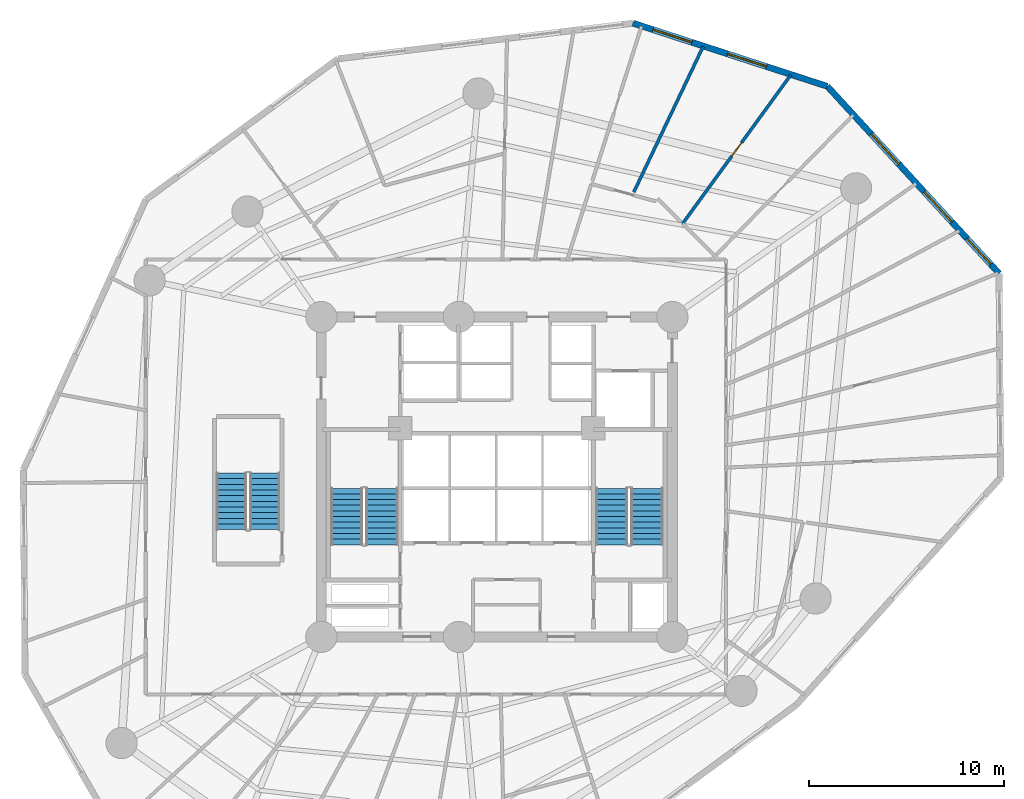
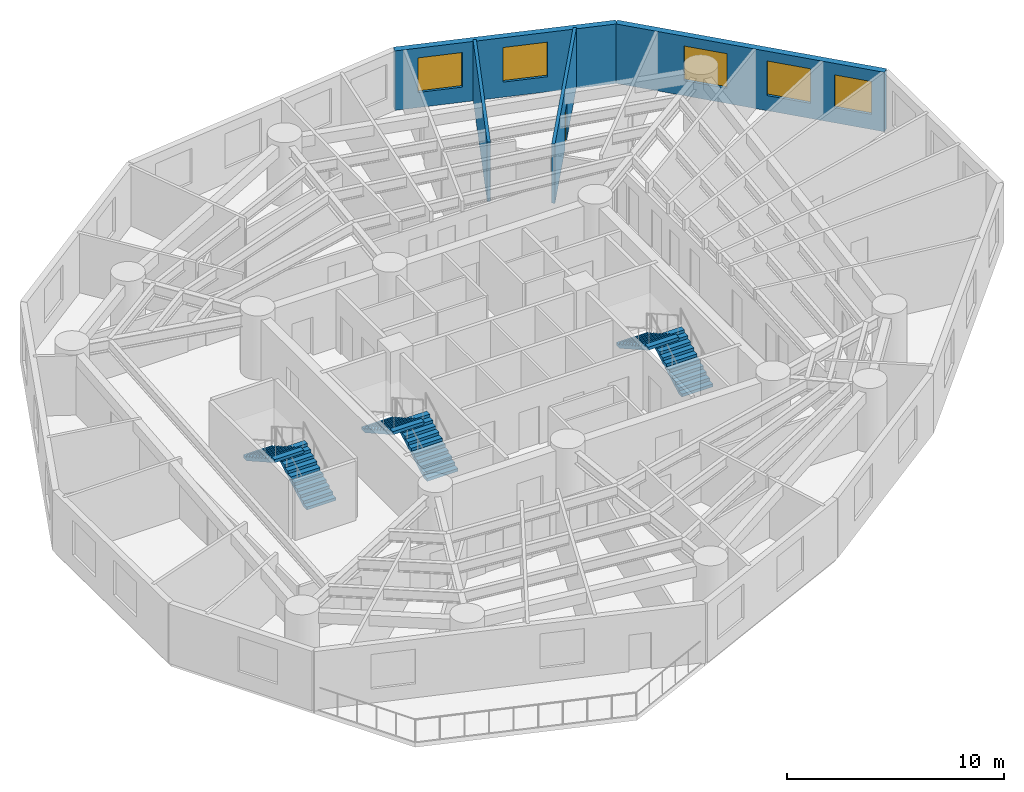
# One storey, part 7 of 9: 6 stair flights, 5 windows, 4 walls, 1 door, 6 openings, 3 elements without a shape of their own.
"""IFC4 building model written with IfcOpenShell, lengths in metres."""

from ifc_helpers import new_model, si_unit, direction, frame, frame_2d, origin, origin_with_axes, place, context, subcontext, project, spatial, polyline, rectangle, outline, extrude, source, transform, mapped, material, layer, layer_set, type_object, element, fill, aggregate, save


model = new_model("IFC4")

# Units and contexts
model_context = context("Model", 3, precision=1e-05, world=origin(), true_north=direction((0.0, 1.0)))
body_context = subcontext(model_context, "Body", "Model", "MODEL_VIEW")
ifc_project = project(units=[si_unit("LENGTHUNIT", "METRE"), si_unit("AREAUNIT", "SQUARE_METRE"), si_unit("VOLUMEUNIT", "CUBIC_METRE"), si_unit("PLANEANGLEUNIT", "RADIAN"), si_unit("MASSUNIT", "GRAM", prefix="KILO")], contexts=[model_context])

# Site, building, storey
site_placement = place(None, origin())
site = spatial("IfcSite", under=ifc_project, at=site_placement, CompositionType="ELEMENT")
building_placement = place(site_placement, origin())
building = spatial("IfcBuilding", under=site, at=building_placement, Name="Karkom Vertical University and Central Library", CompositionType="ELEMENT")
storey_placement = place(building_placement, frame((0.0, 0.0, 48.10009765625)))
storey = spatial("IfcBuildingStorey", under=building, at=storey_placement, Name="L12", CompositionType="ELEMENT", Elevation=48.10009765625)

# Wall, openings, windows
ifc_material_1 = material(Name="Brick-faced precast concrete C45/55", Category="masonry")
ifc_layer_1 = layer(ifc_material_1, 0.320068359375)
ifc_layer_set_1 = layer_set([ifc_layer_1], Name="Brick-faced precast concrete C45/55")
wall_type_1 = type_object("IfcWallType", Name="ENV-WL-BRK-320", PredefinedType="SOLIDWALL", material=ifc_layer_set_1)
wall_1_placement = place(storey_placement, frame((54.251953125, 36.932373046875, 0.0), z_axis=(0.0, 0.0, 1.0), x_axis=(-0.676154884731, 0.736759507474, 0.0)))
wall_1 = element("IfcWall", 1, at=wall_1_placement, inside=storey, type_object=wall_type_1, Name="Level 12 Brick-Faced Precast Facade Wall 09", PredefinedType="SOLIDWALL", context=body_context, shape_type="SweptSolid", body=[
    extrude(rectangle(XDim=13.02392578125, YDim=0.320068359375, at=frame_2d((6.511962890625, 0.0))), origin(), (0.0, 0.0, 1.0), 3.349853515625),
])
opening_1_placement = place(wall_1_placement, frame((0.633056640625, 0.0, 0.85009765625)))
opening_1 = element("IfcOpeningElement", 2, at=opening_1_placement, cuts=wall_1, Name="Opening WN-04", PredefinedType="OPENING", context=body_context, shape_type="SweptSolid", body=[
    extrude(rectangle(XDim=1.800048828125, YDim=1.85009765625, at=frame_2d((0.89990234375, 0.925048828125))), frame((0.0, 0.169921875, 0.0), z_axis=(0.0, -1.0, 0.0), x_axis=(1.0, 0.0, 0.0)), (0.0, 0.0, 1.0), 0.340087890625),
])
opening_2_placement = place(wall_1_placement, frame((3.591552734375, 0.0, 0.85009765625)))
opening_2 = element("IfcOpeningElement", 3, at=opening_2_placement, cuts=wall_1, Name="Opening WN-03", PredefinedType="OPENING", context=body_context, shape_type="SweptSolid", body=[
    extrude(rectangle(XDim=2.10009765625, YDim=1.949951171875, at=frame_2d((1.050048828125, 0.97509765625))), frame((0.0, 0.169921875, 0.0), z_axis=(0.0, -1.0, 0.0), x_axis=(1.0, 0.0, 0.0)), (0.0, 0.0, 1.0), 0.340087890625),
])
opening_3_placement = place(wall_1_placement, frame((7.610595703125, 0.0, 0.85009765625)))
opening_3 = element("IfcOpeningElement", 4, at=opening_3_placement, cuts=wall_1, Name="Opening WN-03", PredefinedType="OPENING", context=body_context, shape_type="SweptSolid", body=[
    extrude(rectangle(XDim=2.10009765625, YDim=1.949951171875, at=frame_2d((1.050048828125, 0.97509765625))), frame((0.0, 0.169921875, 0.0), z_axis=(0.0, -1.0, 0.0), x_axis=(1.0, 0.0, 0.0)), (0.0, 0.0, 1.0), 0.340087890625),
])
ifc_material_2 = material(Name="Aluminium thermal-break frame with solar-control IGU", Category="aluminium")
window_type_1 = type_object("IfcWindowType", Name="ENV-WIN-WN-03", PartitioningType="SINGLE_PANEL", PredefinedType="WINDOW", material=ifc_material_2)
shared_shape_1 = source(origin_with_axes(), body_context, "Body", "SweptSolid", [
    extrude(rectangle(XDim=2.10009765625, YDim=1.949951171875, at=frame_2d((1.050048828125, 0.97509765625))), frame((0.0, 0.030029296875, 0.0), z_axis=(0.0, -1.0, 0.0), x_axis=(1.0, 0.0, 0.0)), (0.0, 0.0, 1.0), 0.06005859375),
])
window_1_placement = place(opening_2_placement, origin())
window_1 = element("IfcWindow", 5, at=window_1_placement, inside=storey, type_object=window_type_1, Name="Level 12 Punched Window 9.2", OverallHeight=1.949951171875, OverallWidth=2.10009765625, PartitioningType="SINGLE_PANEL", PredefinedType="WINDOW", context=body_context, shape_type="MappedRepresentation", body=[
    mapped(shared_shape_1, transform((0.0, 0.0, 0.0), scale=1.0)),
])
fill(opening_2, window_1)
window_2_placement = place(opening_3_placement, origin())
window_2 = element("IfcWindow", 6, at=window_2_placement, inside=storey, type_object=window_type_1, Name="Level 12 Punched Window 9.3", OverallHeight=1.949951171875, OverallWidth=2.10009765625, PartitioningType="SINGLE_PANEL", PredefinedType="WINDOW", context=body_context, shape_type="MappedRepresentation", body=[
    mapped(shared_shape_1, transform((0.0, 0.0, 0.0), scale=1.0)),
])
fill(opening_3, window_2)
window_type_2 = type_object("IfcWindowType", Name="ENV-WIN-WN-04", PartitioningType="SINGLE_PANEL", PredefinedType="WINDOW", material=ifc_material_2)
shared_shape_2 = source(origin_with_axes(), body_context, "Body", "SweptSolid", [
    extrude(rectangle(XDim=1.800048828125, YDim=1.85009765625, at=frame_2d((0.89990234375, 0.925048828125))), frame((0.0, 0.030029296875, 0.0), z_axis=(0.0, -1.0, 0.0), x_axis=(1.0, 0.0, 0.0)), (0.0, 0.0, 1.0), 0.06005859375),
])
window_3_placement = place(opening_1_placement, origin())
window_3 = element("IfcWindow", 7, at=window_3_placement, inside=storey, type_object=window_type_2, Name="Level 12 Punched Window 9.1", OverallHeight=1.85009765625, OverallWidth=1.800048828125, PartitioningType="SINGLE_PANEL", PredefinedType="WINDOW", context=body_context, shape_type="MappedRepresentation", body=[
    mapped(shared_shape_2, transform((0.0, 0.0, 0.0), scale=1.0)),
])
fill(opening_1, window_3)

wall_2_placement = place(storey_placement, frame((45.44580078125, 46.52783203125, 0.0), z_axis=(0.0, 0.0, 1.0), x_axis=(-0.951047758386, 0.309043947148, 0.0)))
wall_2 = element("IfcWall", 8, at=wall_2_placement, inside=storey, type_object=wall_type_1, Name="Level 12 Brick-Faced Precast Facade Wall 10", PredefinedType="SOLIDWALL", context=body_context, shape_type="SweptSolid", body=[
    extrude(rectangle(XDim=10.48388671875, YDim=0.320068359375, at=frame_2d((5.241943359375, 0.0))), origin(), (0.0, 0.0, 1.0), 3.349853515625),
])
opening_4_placement = place(wall_2_placement, frame((3.2841796875, 0.0, 0.85009765625)))
opening_4 = element("IfcOpeningElement", 9, at=opening_4_placement, cuts=wall_2, Name="Opening WN-03", PredefinedType="OPENING", context=body_context, shape_type="SweptSolid", body=[
    extrude(rectangle(XDim=2.10009765625, YDim=1.949951171875, at=frame_2d((1.050048828125, 0.97509765625))), frame((0.0, 0.169921875, 0.0), z_axis=(0.0, -1.0, 0.0), x_axis=(1.0, 0.0, 0.0)), (0.0, 0.0, 1.0), 0.340087890625),
])
opening_5_placement = place(wall_2_placement, frame((7.302490234375, 0.0, 0.85009765625)))
opening_5 = element("IfcOpeningElement", 10, at=opening_5_placement, cuts=wall_2, Name="Opening WN-03", PredefinedType="OPENING", context=body_context, shape_type="SweptSolid", body=[
    extrude(rectangle(XDim=2.10009765625, YDim=1.949951171875, at=frame_2d((1.050048828125, 0.97509765625))), frame((0.0, 0.169921875, 0.0), z_axis=(0.0, -1.0, 0.0), x_axis=(1.0, 0.0, 0.0)), (0.0, 0.0, 1.0), 0.340087890625),
])
window_4_placement = place(opening_4_placement, origin())
window_4 = element("IfcWindow", 11, at=window_4_placement, inside=storey, type_object=window_type_1, Name="Level 12 Punched Window 10.1", OverallHeight=1.949951171875, OverallWidth=2.10009765625, PartitioningType="SINGLE_PANEL", PredefinedType="WINDOW", context=body_context, shape_type="MappedRepresentation", body=[
    mapped(shared_shape_1, transform((0.0, 0.0, 0.0), scale=1.0)),
])
fill(opening_4, window_4)
window_5_placement = place(opening_5_placement, origin())
window_5 = element("IfcWindow", 12, at=window_5_placement, inside=storey, type_object=window_type_1, Name="Level 12 Punched Window 10.2", OverallHeight=1.949951171875, OverallWidth=2.10009765625, PartitioningType="SINGLE_PANEL", PredefinedType="WINDOW", context=body_context, shape_type="MappedRepresentation", body=[
    mapped(shared_shape_1, transform((0.0, 0.0, 0.0), scale=1.0)),
])
fill(opening_5, window_5)

# Wall, opening, door
ifc_material_3 = material(Name="Insulated metal-stud drywall 160mm", Category="gypsum")
ifc_layer_2 = layer(ifc_material_3, 0.159912109375)
ifc_layer_set_2 = layer_set([ifc_layer_2], Name="Insulated metal-stud drywall 160mm")
wall_type_2 = type_object("IfcWallType", Name="INT-WL-COR-160", PredefinedType="PARTITIONING", material=ifc_layer_set_2)
wall_3_placement = place(storey_placement, frame((38.025634765625, 39.490234375, 0.0), z_axis=(0.0, 0.0, 1.0), x_axis=(0.588344255405, 0.808610559622, 0.0)))
wall_3 = element("IfcWall", 13, at=wall_3_placement, inside=storey, type_object=wall_type_2, Name="Level 12 Interior Partition Wall L12-PW-025", PredefinedType="PARTITIONING", context=body_context, shape_type="SweptSolid", body=[
    extrude(rectangle(XDim=9.42138671875, YDim=0.159912109375, at=frame_2d((4.710693359375, 0.0))), origin(), (0.0, 0.0, 1.0), 3.349853515625),
])
opening_6_placement = place(wall_3_placement, frame((4.280517578125, 0.0, 0.0)))
opening_6 = element("IfcOpeningElement", 14, at=opening_6_placement, cuts=wall_3, Name="Opening FD-BTH2", PredefinedType="OPENING", context=body_context, shape_type="SweptSolid", body=[
    extrude(rectangle(XDim=0.860107421875, YDim=2.0400390625, at=frame_2d((0.43017578125, 1.02001953125))), frame((0.0, 0.08984375, 0.0), z_axis=(0.0, -1.0, 0.0), x_axis=(1.0, 0.0, 0.0)), (0.0, 0.0, 1.0), 0.179931640625),
])
ifc_material_4 = material(Name="Fire-rated moisture-resistant oak door", Category="wood")
door_type = type_object("IfcDoorType", Name="INT-DR-FBTH2", OperationType="NOTDEFINED", PredefinedType="DOOR", material=ifc_material_4)
shared_shape_3 = source(origin_with_axes(), body_context, "Body", "SweptSolid", [
    extrude(rectangle(XDim=0.860107421875, YDim=2.0400390625, at=frame_2d((0.43017578125, 1.02001953125))), frame((0.0, 0.02490234375, 0.0), z_axis=(0.0, -1.0, 0.0), x_axis=(1.0, 0.0, 0.0)), (0.0, 0.0, 1.0), 0.050048828125),
])
door_placement = place(opening_6_placement, origin())
door = element("IfcDoor", 15, at=door_placement, inside=storey, type_object=door_type, Name="Level 12 Faculty Consultation and Research Office Entry Door", OperationType="SINGLE_SWING_RIGHT", OverallHeight=2.0400390625, OverallWidth=0.860107421875, PredefinedType="DOOR", context=body_context, shape_type="MappedRepresentation", body=[
    mapped(shared_shape_3, transform((0.0, 0.0, 0.0), scale=1.0)),
])
fill(opening_6, door)

# Wall
wall_4_placement = place(storey_placement, frame((35.520263671875, 41.101806640625, 0.0), z_axis=(0.0, 0.0, 1.0), x_axis=(0.429966802058, 0.902844698233, 0.0)))
element("IfcWall", 16, at=wall_4_placement, inside=storey, type_object=wall_type_2, Name="Level 12 Interior Partition Wall L12-PW-029", PredefinedType="PARTITIONING", context=body_context, shape_type="SweptSolid", body=[
    extrude(rectangle(XDim=8.2724609375, YDim=0.159912109375, at=frame_2d((4.13623046875, 0.0))), origin(), (0.0, 0.0, 1.0), 3.349853515625),
])

# Stair, stair flights
ifc_material_5 = material(Name="Concrete C45/55", Category="concrete")
stair_type_1 = type_object("IfcStairType", Name="INT-STR-ST-MAIN", PredefinedType="HALF_TURN_STAIR", material=ifc_material_5)
stair_1_placement = place(storey_placement, origin())
stair_1 = element("IfcStair", 17, at=stair_1_placement, inside=storey, type_object=stair_type_1, Name="Level 12 Tower Protected Exit Stair ST-1", PredefinedType="HALF_TURN_STAIR")
stair_flight_type_1 = type_object("IfcStairFlightType", Name="INT-SFL-ST-MAIN", PredefinedType="STRAIGHT", material=ifc_material_5)
stair_flight_1_placement = place(storey_placement, frame((22.614990234375, 23.02001953125, 0.0), z_axis=(0.0, 0.0, 1.0), x_axis=(0.0, 1.0, 0.0)))
stair_flight_1 = element("IfcStairFlight", 18, at=stair_flight_1_placement, type_object=stair_flight_type_1, Name="ST-1 flight 1", NumberOfRisers=11, NumberOfTreads=10, PredefinedType="STRAIGHT", RiserHeight=0.163636364, TreadLength=0.29, context=body_context, shape_type="SweptSolid", body=[
    extrude(outline(polyline([(0.0, 0.0), (0.0, 0.16357421875), (0.2900390625, 0.16357421875), (0.2900390625, 0.327392578125), (0.580078125, 0.327392578125), (0.580078125, 0.490966796875), (0.8701171875, 0.490966796875), (0.8701171875, 0.654541015625), (1.159912109375, 0.654541015625), (1.159912109375, 0.818115234375), (1.449951171875, 0.818115234375), (1.449951171875, 0.98193359375), (1.739990234375, 0.98193359375), (1.739990234375, 1.1455078125), (2.030029296875, 1.1455078125), (2.030029296875, 1.30908203125), (2.320068359375, 1.30908203125), (2.320068359375, 1.47265625), (2.610107421875, 1.47265625), (2.610107421875, 1.636474609375), (2.89990234375, 1.636474609375), (2.89990234375, 1.800048828125), (2.89990234375, 1.46435546875), (0.304931640625, 0.0), (0.0, 0.0)])), frame((0.0, 0.824951171875, 0.0), z_axis=(0.0, -1.0, 0.0), x_axis=(1.0, 0.0, 0.0)), (0.0, 0.0, 1.0), 1.64990234375),
])
stair_flight_2_placement = place(storey_placement, frame((20.804931640625, 25.919921875, 1.7998046875), z_axis=(0.0, 0.0, 1.0), x_axis=(0.0, -1.0, 0.0)))
stair_flight_2 = element("IfcStairFlight", 19, at=stair_flight_2_placement, type_object=stair_flight_type_1, Name="ST-1 flight 2", NumberOfRisers=11, NumberOfTreads=10, PredefinedType="STRAIGHT", RiserHeight=0.163636364, TreadLength=0.29, context=body_context, shape_type="SweptSolid", body=[
    extrude(outline(polyline([(0.0, 0.0), (0.0, 0.16357421875), (0.2900390625, 0.16357421875), (0.2900390625, 0.327392578125), (0.580078125, 0.327392578125), (0.580078125, 0.490966796875), (0.8701171875, 0.490966796875), (0.8701171875, 0.654541015625), (1.159912109375, 0.654541015625), (1.159912109375, 0.818115234375), (1.449951171875, 0.818115234375), (1.449951171875, 0.98193359375), (1.739990234375, 0.98193359375), (1.739990234375, 1.1455078125), (2.030029296875, 1.1455078125), (2.030029296875, 1.30908203125), (2.320068359375, 1.30908203125), (2.320068359375, 1.47265625), (2.610107421875, 1.47265625), (2.610107421875, 1.636474609375), (2.89990234375, 1.636474609375), (2.89990234375, 1.800048828125), (2.89990234375, 1.46435546875), (0.304931640625, 0.0), (0.0, 0.0)])), frame((0.0, 0.824951171875, 0.0), z_axis=(0.0, -1.0, 0.0), x_axis=(1.0, 0.0, 0.0)), (0.0, 0.0, 1.0), 1.64990234375),
])
aggregate(stair_1, [stair_flight_1, stair_flight_2])

stair_2_placement = place(storey_placement, origin())
stair_2 = element("IfcStair", 20, at=stair_2_placement, inside=storey, type_object=stair_type_1, Name="Level 12 Tower Protected Exit Stair ST-2", PredefinedType="HALF_TURN_STAIR")
stair_flight_3_placement = place(storey_placement, frame((36.195068359375, 23.02001953125, 0.0), z_axis=(0.0, 0.0, 1.0), x_axis=(0.0, 1.0, 0.0)))
stair_flight_3 = element("IfcStairFlight", 21, at=stair_flight_3_placement, type_object=stair_flight_type_1, Name="ST-2 flight 1", NumberOfRisers=11, NumberOfTreads=10, PredefinedType="STRAIGHT", RiserHeight=0.163636364, TreadLength=0.29, context=body_context, shape_type="SweptSolid", body=[
    extrude(outline(polyline([(0.0, 0.0), (0.0, 0.16357421875), (0.2900390625, 0.16357421875), (0.2900390625, 0.327392578125), (0.580078125, 0.327392578125), (0.580078125, 0.490966796875), (0.8701171875, 0.490966796875), (0.8701171875, 0.654541015625), (1.159912109375, 0.654541015625), (1.159912109375, 0.818115234375), (1.449951171875, 0.818115234375), (1.449951171875, 0.98193359375), (1.739990234375, 0.98193359375), (1.739990234375, 1.1455078125), (2.030029296875, 1.1455078125), (2.030029296875, 1.30908203125), (2.320068359375, 1.30908203125), (2.320068359375, 1.47265625), (2.610107421875, 1.47265625), (2.610107421875, 1.636474609375), (2.89990234375, 1.636474609375), (2.89990234375, 1.800048828125), (2.89990234375, 1.46435546875), (0.304931640625, 0.0), (0.0, 0.0)])), frame((0.0, 0.824951171875, 0.0), z_axis=(0.0, -1.0, 0.0), x_axis=(1.0, 0.0, 0.0)), (0.0, 0.0, 1.0), 1.64990234375),
])
stair_flight_4_placement = place(storey_placement, frame((34.385009765625, 25.919921875, 1.7998046875), z_axis=(0.0, 0.0, 1.0), x_axis=(0.0, -1.0, 0.0)))
stair_flight_4 = element("IfcStairFlight", 22, at=stair_flight_4_placement, type_object=stair_flight_type_1, Name="ST-2 flight 2", NumberOfRisers=11, NumberOfTreads=10, PredefinedType="STRAIGHT", RiserHeight=0.163636364, TreadLength=0.29, context=body_context, shape_type="SweptSolid", body=[
    extrude(outline(polyline([(0.0, 0.0), (0.0, 0.16357421875), (0.2900390625, 0.16357421875), (0.2900390625, 0.327392578125), (0.580078125, 0.327392578125), (0.580078125, 0.490966796875), (0.8701171875, 0.490966796875), (0.8701171875, 0.654541015625), (1.159912109375, 0.654541015625), (1.159912109375, 0.818115234375), (1.449951171875, 0.818115234375), (1.449951171875, 0.98193359375), (1.739990234375, 0.98193359375), (1.739990234375, 1.1455078125), (2.030029296875, 1.1455078125), (2.030029296875, 1.30908203125), (2.320068359375, 1.30908203125), (2.320068359375, 1.47265625), (2.610107421875, 1.47265625), (2.610107421875, 1.636474609375), (2.89990234375, 1.636474609375), (2.89990234375, 1.800048828125), (2.89990234375, 1.46435546875), (0.304931640625, 0.0), (0.0, 0.0)])), frame((0.0, 0.824951171875, 0.0), z_axis=(0.0, -1.0, 0.0), x_axis=(1.0, 0.0, 0.0)), (0.0, 0.0, 1.0), 1.64990234375),
])
aggregate(stair_2, [stair_flight_3, stair_flight_4])

stair_type_2 = type_object("IfcStairType", Name="INT-STR-ST-SEC", PredefinedType="HALF_TURN_STAIR", material=ifc_material_5)
stair_3_placement = place(storey_placement, origin())
stair_3 = element("IfcStair", 23, at=stair_3_placement, inside=storey, type_object=stair_type_2, Name="Level 12 Academic Zone Protected Exit Stair ST-3", PredefinedType="HALF_TURN_STAIR")
stair_flight_type_2 = type_object("IfcStairFlightType", Name="INT-SFL-ST-SEC", PredefinedType="STRAIGHT", material=ifc_material_5)
stair_flight_5_placement = place(storey_placement, frame((16.60498046875, 23.800048828125, 0.0), z_axis=(0.0, 0.0, 1.0), x_axis=(0.0, 1.0, 0.0)))
stair_flight_5 = element("IfcStairFlight", 24, at=stair_flight_5_placement, type_object=stair_flight_type_2, Name="ST-3 flight 1", NumberOfRisers=11, NumberOfTreads=10, PredefinedType="STRAIGHT", RiserHeight=0.163636364, TreadLength=0.29, context=body_context, shape_type="SweptSolid", body=[
    extrude(outline(polyline([(0.0, 0.0), (0.0, 0.16357421875), (0.2900390625, 0.16357421875), (0.2900390625, 0.327392578125), (0.580078125, 0.327392578125), (0.580078125, 0.490966796875), (0.8701171875, 0.490966796875), (0.8701171875, 0.654541015625), (1.159912109375, 0.654541015625), (1.159912109375, 0.818115234375), (1.449951171875, 0.818115234375), (1.449951171875, 0.98193359375), (1.739990234375, 0.98193359375), (1.739990234375, 1.1455078125), (2.030029296875, 1.1455078125), (2.030029296875, 1.30908203125), (2.320068359375, 1.30908203125), (2.320068359375, 1.47265625), (2.610107421875, 1.47265625), (2.610107421875, 1.636474609375), (2.89990234375, 1.636474609375), (2.89990234375, 1.800048828125), (2.89990234375, 1.46435546875), (0.304931640625, 0.0), (0.0, 0.0)])), frame((0.0, 0.77490234375, 0.0), z_axis=(0.0, -1.0, 0.0), x_axis=(1.0, 0.0, 0.0)), (0.0, 0.0, 1.0), 1.550048828125),
])
stair_flight_6_placement = place(storey_placement, frame((14.89501953125, 26.699951171875, 1.7998046875), z_axis=(0.0, 0.0, 1.0), x_axis=(0.0, -1.0, 0.0)))
stair_flight_6 = element("IfcStairFlight", 25, at=stair_flight_6_placement, type_object=stair_flight_type_2, Name="ST-3 flight 2", NumberOfRisers=11, NumberOfTreads=10, PredefinedType="STRAIGHT", RiserHeight=0.163636364, TreadLength=0.29, context=body_context, shape_type="SweptSolid", body=[
    extrude(outline(polyline([(0.0, 0.0), (0.0, 0.16357421875), (0.2900390625, 0.16357421875), (0.2900390625, 0.327392578125), (0.580078125, 0.327392578125), (0.580078125, 0.490966796875), (0.8701171875, 0.490966796875), (0.8701171875, 0.654541015625), (1.159912109375, 0.654541015625), (1.159912109375, 0.818115234375), (1.449951171875, 0.818115234375), (1.449951171875, 0.98193359375), (1.739990234375, 0.98193359375), (1.739990234375, 1.1455078125), (2.030029296875, 1.1455078125), (2.030029296875, 1.30908203125), (2.320068359375, 1.30908203125), (2.320068359375, 1.47265625), (2.610107421875, 1.47265625), (2.610107421875, 1.636474609375), (2.89990234375, 1.636474609375), (2.89990234375, 1.800048828125), (2.89990234375, 1.46435546875), (0.304931640625, 0.0), (0.0, 0.0)])), frame((0.0, 0.77490234375, 0.0), z_axis=(0.0, -1.0, 0.0), x_axis=(1.0, 0.0, 0.0)), (0.0, 0.0, 1.0), 1.550048828125),
])
aggregate(stair_3, [stair_flight_5, stair_flight_6])

save(model, "model.ifc")
